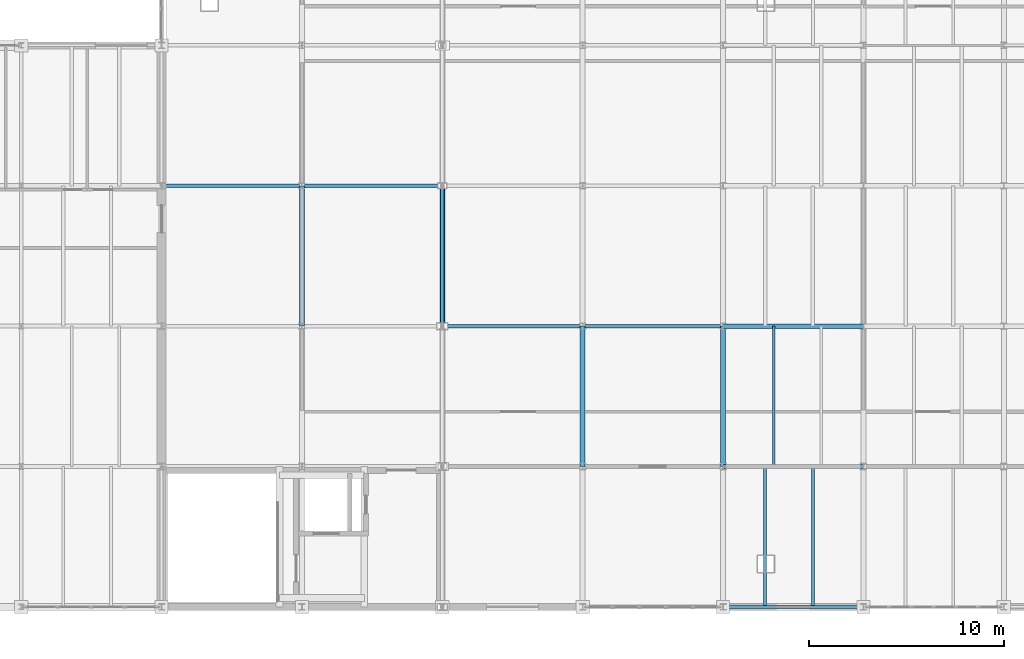
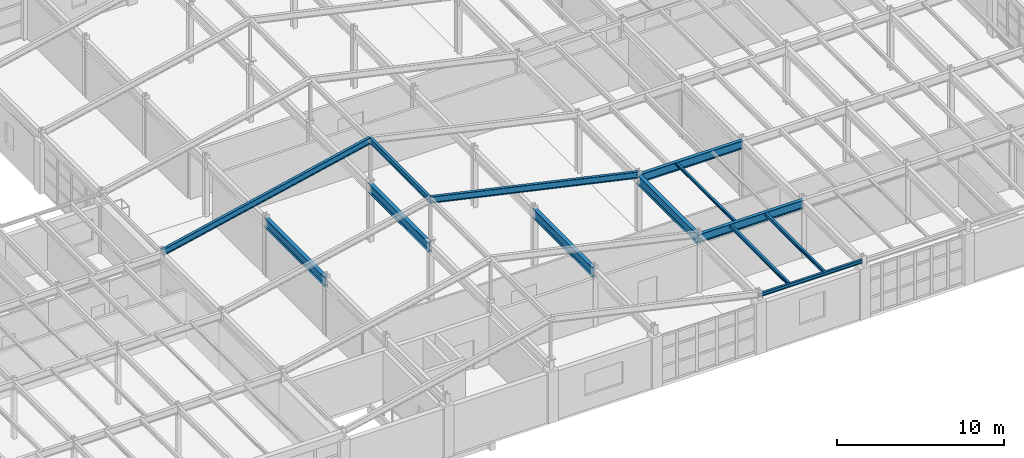
# One storey, part 78 of 137: 13 beams.
"""IFC4 building model written with IfcOpenShell, lengths in metres."""

from ifc_helpers import new_model, si_unit, direction, frame, origin, origin_2d, place, context, subcontext, project, spatial, i_section, extrude, material, material_profile, profile_set, type_object, element, save


model = new_model("IFC4")

# Units and contexts
model_context = context("Model", 3, precision=1e-05, world=origin(), true_north=direction((0.0, 1.0)))
body_context = subcontext(model_context, "Body", "Model", "MODEL_VIEW")
ifc_project = project(units=[si_unit("LENGTHUNIT", "METRE"), si_unit("AREAUNIT", "SQUARE_METRE"), si_unit("VOLUMEUNIT", "CUBIC_METRE"), si_unit("PLANEANGLEUNIT", "RADIAN"), si_unit("MASSUNIT", "GRAM", prefix="KILO")], contexts=[model_context])

# Site, building, storey
site_placement = place(None, origin())
site = spatial("IfcSite", under=ifc_project, at=site_placement, CompositionType="ELEMENT")
building_placement = place(site_placement, origin())
building = spatial("IfcBuilding", under=site, at=building_placement, Name="Kemerveld Promenade Tramway Depot", CompositionType="ELEMENT")
storey_placement = place(building_placement, frame((0.0, 0.0, 5.39990234375)))
storey = spatial("IfcBuildingStorey", under=building, at=storey_placement, Name="L01", CompositionType="ELEMENT", Elevation=5.39990234375)

# Beams
ifc_material = material(Name="Steel S355", Category="steel")
ifc_material_profile_1 = material_profile(ifc_material, i_section(OverallWidth=0.25439453125, OverallDepth=0.6875, WebThickness=0.01318359375, FlangeThickness=0.02099609375, FilletRadius=0.01513671875, at=origin_2d()), Name="686x254x152 UB")
ifc_profile_set_1 = profile_set([ifc_material_profile_1], Name="Steel S355")
beam_type_1 = type_object("IfcBeamType", Name="BM-G03", PredefinedType="BEAM", material=ifc_profile_set_1)
for number, where, z_axis, x_axis, name in (
    (1, (165.60009765625, 14.39990234375, 3.896484375), (0.0, 1.0, 0.0), (-1.0, 0.0, 0.0), "BMY-L01-24-C-D"),
    (2, (172.800048828125, 14.39990234375, 3.896484375), (0.0, 1.0, 0.0), (-1.0, 0.0, 0.0), "BMY-L01-25-C-D"),
):
    element("IfcBeam", number, at=place(storey_placement, frame(where, z_axis=z_axis, x_axis=x_axis)), inside=storey, type_object=beam_type_1, Name=name, PredefinedType="BEAM", context=body_context, shape_type="SweptSolid", body=[
        extrude(i_section(OverallWidth=0.25439453125, OverallDepth=0.6875, WebThickness=0.01318359375, FlangeThickness=0.02099609375, FilletRadius=0.01513671875, at=origin_2d()), origin(), (0.0, 0.0, 1.0), 7.2001953125),
    ])
for number, where, z_axis, x_axis, name in (
    (3, (180.0, 7.199951171875, 3.896484375), (0.0, 1.0, 0.0), (-1.0, 0.0, 0.0), "BMY-L01-26-B-C"),
    (4, (187.199951171875, 7.199951171875, 3.856201171875), (0.0, 1.0, 0.0), (-1.0, 0.0, 0.0), "BMY-L01-27-B-C"),
):
    element("IfcBeam", number, at=place(storey_placement, frame(where, z_axis=z_axis, x_axis=x_axis)), inside=storey, type_object=beam_type_1, Name=name, PredefinedType="BEAM", context=body_context, shape_type="SweptSolid", body=[
        extrude(i_section(OverallWidth=0.25439453125, OverallDepth=0.6875, WebThickness=0.01318359375, FlangeThickness=0.02099609375, FilletRadius=0.01513671875, at=origin_2d()), origin(), (0.0, 0.0, 1.0), 7.199951171875),
    ])
ifc_material_profile_2 = material_profile(ifc_material, i_section(OverallWidth=0.22900390625, OverallDepth=0.6123046875, WebThickness=0.011962890625, FlangeThickness=0.01953125, FilletRadius=0.0126953125, at=origin_2d()), Name="610x229x125 UB")
ifc_profile_set_2 = profile_set([ifc_material_profile_2], Name="Steel S355")
beam_type_2 = type_object("IfcBeamType", Name="BM-G04", PredefinedType="BEAM", material=ifc_profile_set_2)
for number, where, z_axis, x_axis, name in (
    (5, (187.199951171875, 7.199951171875, 3.89404296875), (1.0, 0.0, 0.0), (0.0, 1.0, 0.0), "BMX-L01-27-28-B"),
    (6, (187.199951171875, 14.39990234375, 3.89404296875), (1.0, 0.0, 0.0), (0.0, 1.0, 0.0), "BMX-L01-27-28-C"),
):
    element("IfcBeam", number, at=place(storey_placement, frame(where, z_axis=z_axis, x_axis=x_axis)), inside=storey, type_object=beam_type_2, Name=name, PredefinedType="BEAM", context=body_context, shape_type="SweptSolid", body=[
        extrude(i_section(OverallWidth=0.22900390625, OverallDepth=0.6123046875, WebThickness=0.011962890625, FlangeThickness=0.01953125, FilletRadius=0.0126953125, at=origin_2d()), origin(), (0.0, 0.0, 1.0), 7.199951171875),
    ])
ifc_material_profile_3 = material_profile(ifc_material, i_section(OverallWidth=0.19140625, OverallDepth=0.4599609375, WebThickness=0.010009765625, FlangeThickness=0.01611328125, FilletRadius=0.01025390625, at=origin_2d()), Name="457x191x82 UB")
ifc_profile_set_3 = profile_set([ifc_material_profile_3], Name="Steel S355")
beam_type_3 = type_object("IfcBeamType", Name="BM-G06", PredefinedType="BEAM", material=ifc_profile_set_3)
beam_1_placement = place(storey_placement, frame((172.800048828125, 14.39990234375, 7.375), z_axis=(0.976187449608, 0.0, -0.216928705402), x_axis=(0.0, 1.0, 0.0)))
element("IfcBeam", 7, at=beam_1_placement, inside=storey, type_object=beam_type_3, Name="RAF-V2W-C-B", PredefinedType="BEAM", context=body_context, shape_type="SweptSolid", body=[
    extrude(i_section(OverallWidth=0.19140625, OverallDepth=0.4599609375, WebThickness=0.010009765625, FlangeThickness=0.01611328125, FilletRadius=0.01025390625, at=origin_2d()), origin(), (0.0, 0.0, 1.0), 14.751220703125),
])
beam_2_placement = place(storey_placement, frame((158.39990234375, 21.60009765625, 4.175048828125), z_axis=(0.976188228429, 0.0, 0.216925200651), x_axis=(0.0, 1.0, 0.0)))
element("IfcBeam", 8, at=beam_2_placement, inside=storey, type_object=beam_type_3, Name="RAF-V2W-D-A", PredefinedType="BEAM", context=body_context, shape_type="SweptSolid", body=[
    extrude(i_section(OverallWidth=0.19140625, OverallDepth=0.4599609375, WebThickness=0.010009765625, FlangeThickness=0.01611328125, FilletRadius=0.01025390625, at=origin_2d()), origin(), (0.0, 0.0, 1.0), 14.75146484375),
])
ifc_material_profile_4 = material_profile(ifc_material, i_section(OverallWidth=0.1787109375, OverallDepth=0.409423828125, WebThickness=0.0087890625, FlangeThickness=0.014404296875, FilletRadius=0.01025390625, at=origin_2d()), Name="406x178x67 UB")
ifc_profile_set_4 = profile_set([ifc_material_profile_4], Name="Steel S355")
beam_type_4 = type_object("IfcBeamType", Name="BM-G07", PredefinedType="BEAM", material=ifc_profile_set_4)
beam_3_placement = place(storey_placement, frame((172.800048828125, 14.39990234375, 7.375), z_axis=(0.0, 1.0, 0.0), x_axis=(-1.0, 0.0, 0.0)))
element("IfcBeam", 9, at=beam_3_placement, inside=storey, type_object=beam_type_4, Name="BM-RDG-V2-3", PredefinedType="BEAM", context=body_context, shape_type="SweptSolid", body=[
    extrude(i_section(OverallWidth=0.1787109375, OverallDepth=0.409423828125, WebThickness=0.0087890625, FlangeThickness=0.014404296875, FilletRadius=0.01025390625, at=origin_2d()), origin(), (0.0, 0.0, 1.0), 7.2001953125),
])
ifc_material_profile_5 = material_profile(ifc_material, i_section(OverallWidth=0.146484375, OverallDepth=0.256103515625, WebThickness=0.00634765625, FlangeThickness=0.010986328125, FilletRadius=0.007568359375, at=origin_2d()), Name="254x146x37 UB")
ifc_profile_set_5 = profile_set([ifc_material_profile_5], Name="Steel S355")
beam_type_5 = type_object("IfcBeamType", Name="BM-G15", PredefinedType="BEAM", material=ifc_profile_set_5)
beam_4_placement = place(storey_placement, frame((187.199951171875, 0.0, 4.072021484375), z_axis=(1.0, 0.0, 0.0), x_axis=(0.0, 1.0, 0.0)))
element("IfcBeam", 10, at=beam_4_placement, inside=storey, type_object=beam_type_5, Name="BMX-L01-27-28-A", PredefinedType="BEAM", context=body_context, shape_type="SweptSolid", body=[
    extrude(i_section(OverallWidth=0.146484375, OverallDepth=0.256103515625, WebThickness=0.00634765625, FlangeThickness=0.010986328125, FilletRadius=0.007568359375, at=origin_2d()), origin(), (0.0, 0.0, 1.0), 7.199951171875),
])
ifc_material_profile_6 = material_profile(ifc_material, i_section(OverallWidth=0.146484375, OverallDepth=0.256103515625, WebThickness=0.00634765625, FlangeThickness=0.010986328125, FilletRadius=0.007568359375, at=origin_2d()), Name="254x146x37 UB")
ifc_profile_set_6 = profile_set([ifc_material_profile_6], Name="Steel S355")
beam_type_6 = type_object("IfcBeamType", Name="BM-J02", PredefinedType="JOIST", material=ifc_profile_set_6)
for number, where, z_axis, x_axis, name in (
    (11, (189.360107421875, 0.0, 4.072021484375), (0.0, 1.0, 0.0), (-1.0, 0.0, 0.0), "JST-L01-27-A-1"),
    (12, (191.80810546875, 0.0, 4.072021484375), (0.0, 1.0, 0.0), (-1.0, 0.0, 0.0), "JST-L01-27-A-2"),
):
    element("IfcBeam", number, at=place(storey_placement, frame(where, z_axis=z_axis, x_axis=x_axis)), inside=storey, type_object=beam_type_6, Name=name, PredefinedType="JOIST", context=body_context, shape_type="SweptSolid", body=[
        extrude(i_section(OverallWidth=0.146484375, OverallDepth=0.256103515625, WebThickness=0.00634765625, FlangeThickness=0.010986328125, FilletRadius=0.007568359375, at=origin_2d()), origin(), (0.0, 0.0, 1.0), 7.199951171875),
    ])
ifc_material_profile_7 = material_profile(ifc_material, i_section(OverallWidth=0.13330078125, OverallDepth=0.203125, WebThickness=0.005615234375, FlangeThickness=0.0078125, FilletRadius=0.007568359375, at=origin_2d()), Name="203x133x25 UB")
ifc_profile_set_7 = profile_set([ifc_material_profile_7], Name="Steel S355")
beam_type_7 = type_object("IfcBeamType", Name="BM-J03", PredefinedType="JOIST", material=ifc_profile_set_7)
beam_5_placement = place(storey_placement, frame((189.7919921875, 7.199951171875, 4.098388671875), z_axis=(0.0, 1.0, 0.0), x_axis=(-1.0, 0.0, 0.0)))
element("IfcBeam", 13, at=beam_5_placement, inside=storey, type_object=beam_type_7, Name="JST-L01-27-B-1", PredefinedType="JOIST", context=body_context, shape_type="SweptSolid", body=[
    extrude(i_section(OverallWidth=0.13330078125, OverallDepth=0.203125, WebThickness=0.005615234375, FlangeThickness=0.0078125, FilletRadius=0.007568359375, at=origin_2d()), origin(), (0.0, 0.0, 1.0), 7.199951171875),
])

save(model, "model.ifc")
